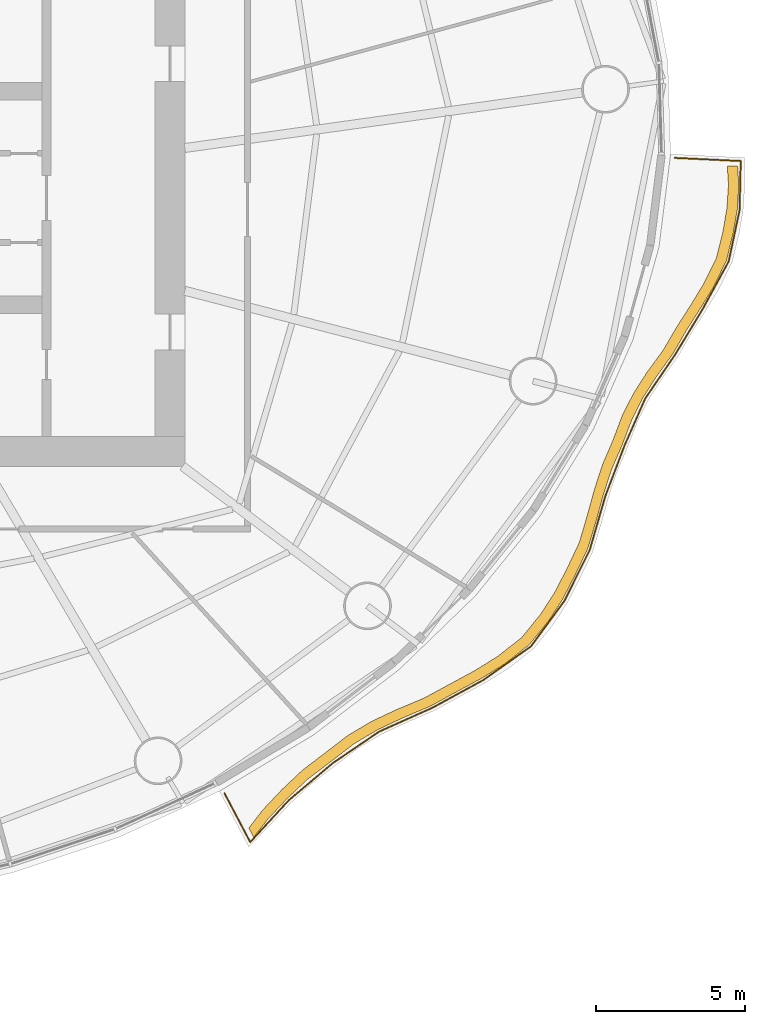
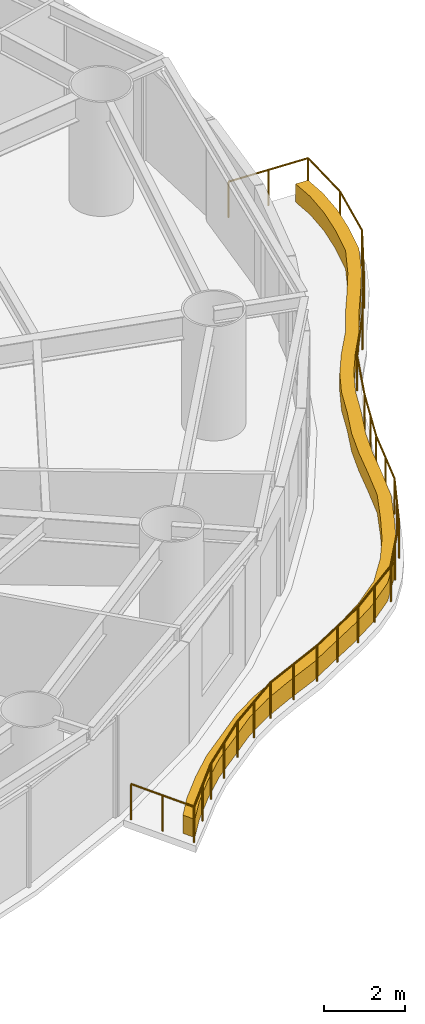
# One storey, part 14 of 16: 1 covering, 1 railing.
"""IFC4 building model written with IfcOpenShell, lengths in metres."""

from ifc_helpers import new_model, si_unit, direction, frame, origin, origin_2d, place, context, subcontext, project, spatial, polyline, circle, outline, extrude, material, type_object, element, save


model = new_model("IFC4")

# Units and contexts
model_context = context("Model", 3, precision=1e-05, world=origin(), true_north=direction((0.0, 1.0)))
body_context = subcontext(model_context, "Body", "Model", "MODEL_VIEW")
ifc_project = project(units=[si_unit("LENGTHUNIT", "METRE"), si_unit("AREAUNIT", "SQUARE_METRE"), si_unit("VOLUMEUNIT", "CUBIC_METRE"), si_unit("PLANEANGLEUNIT", "RADIAN"), si_unit("MASSUNIT", "GRAM", prefix="KILO")], contexts=[model_context])

# Site, building, storey
site_placement = place(None, origin())
site = spatial("IfcSite", under=ifc_project, at=site_placement, CompositionType="ELEMENT")
building_placement = place(site_placement, origin())
building = spatial("IfcBuilding", under=site, at=building_placement, Name="Vermilion Reach Broadcast Tower", CompositionType="ELEMENT")
storey_placement = place(building_placement, frame((0.0, 0.0, 95.800048828125)))
storey = spatial("IfcBuildingStorey", under=building, at=storey_placement, Name="L21", CompositionType="ELEMENT", Elevation=95.800048828125)

# Covering
ifc_material_1 = material(Name="Planting soil and greenery")
covering_type = type_object("IfcCoveringType", Name="Balcony PLANTER", PredefinedType="USERDEFINED", material=ifc_material_1)
covering_placement = place(storey_placement, origin())
element("IfcCovering", 1, at=covering_placement, inside=storey, type_object=covering_type, Name="PLANTER L21 group 4", ObjectType="PLANTER", PredefinedType="USERDEFINED", context=body_context, shape_type="SweptSolid", body=[
    extrude(outline(polyline([(8.306884765625, -21.444580078125), (8.7861328125, -20.83203125), (9.442138671875, -20.135009765625), (10.12890625, -19.489501953125), (10.91455078125, -18.89208984375), (11.681640625, -18.3046875), (12.4658203125, -17.838134765625), (13.30419921875, -17.443115234375), (14.25439453125, -17.0380859375), (15.147705078125, -16.548095703125), (15.959228515625, -16.109619140625), (16.73095703125, -15.630126953125), (17.55029296875, -14.985595703125), (18.193115234375, -14.198486328125), (18.666748046875, -13.466064453125), (19.07470703125, -12.680419921875), (19.514404296875, -11.7607421875), (19.80419921875, -10.800537109375), (20.036865234375, -9.951171875), (20.30615234375, -9.124267578125), (20.674072265625, -8.27099609375), (20.99462890625, -7.43115234375), (21.367431640625, -6.6953125), (21.81689453125, -5.993408203125), (22.369384765625, -5.226806640625), (22.83642578125, -4.41845703125), (23.28857421875, -3.710693359375), (23.72412109375, -2.998291015625), (24.163330078125, -2.108642578125), (24.394287109375, -1.17138671875), (24.52783203125, -0.39501953125), (24.580078125, 0.391357421875), (24.5419921875, 1.06494140625), (24.1923828125, 1.08154296875), (24.23291015625, 0.434814453125), (24.180419921875, -0.3515625), (24.047119140625, -1.1279296875), (23.8203125, -2.039306640625), (23.386962890625, -2.90380859375), (22.951416015625, -3.615966796875), (22.499267578125, -4.32373046875), (22.039794921875, -5.1083984375), (21.49658203125, -5.85205078125), (21.047119140625, -6.553955078125), (20.674560546875, -7.28955078125), (20.3642578125, -8.1083984375), (20.008056640625, -8.94091796875), (19.73876953125, -9.767822265625), (19.505859375, -10.6171875), (19.228759765625, -11.558837890625), (18.802490234375, -12.46044921875), (18.39453125, -13.24609375), (17.9208984375, -13.978515625), (17.2919921875, -14.749267578125), (16.487548828125, -15.37841796875), (15.7158203125, -15.858154296875), (14.904296875, -16.296630859375), (14.026123046875, -16.77294921875), (13.091796875, -17.164794921875), (12.25341796875, -17.56005859375), (11.46923828125, -18.026611328125), (10.71826171875, -18.6025390625), (9.94921875, -19.189208984375), (9.262451171875, -19.834716796875), (8.6064453125, -20.53173828125), (8.143798828125, -21.134765625), (8.306884765625, -21.444580078125)])), origin(), (0.0, 0.0, 1.0), 0.550048828125),
])

# Railing
ifc_material_2 = material(Name="Stainless steel 316 balustrade", Category="steel")
railing_type = type_object("IfcRailingType", Name="Balcony guard 1100", PredefinedType="BALUSTRADE", material=ifc_material_2)
railing_placement = place(storey_placement, frame((7.328857421875, -19.972412109375, 0.0)))
element("IfcRailing", 2, at=railing_placement, inside=storey, type_object=railing_type, Name="Balcony guard L21 group 4", PredefinedType="BALUSTRADE", context=body_context, shape_type="SweptSolid", body=[
    extrude(circle(Radius=0.02490234375, at=origin_2d()), frame((0.0, 0.0, 1.0751953125), z_axis=(0.465768209799, -0.884906760478, 0.0), x_axis=(0.884906760478, 0.465768209799, 0.0)), (0.0, 0.0, 1.0), 1.84814453125),
    extrude(circle(Radius=0.02490234375, at=origin_2d()), frame((0.86083984375, -1.635498046875, 1.0751953125), z_axis=(0.677615931931, 0.735415969906, 0.0), x_axis=(-0.735415969906, 0.677615931931, 0.0)), (0.0, 0.0, 1.0), 1.9091796875),
    extrude(circle(Radius=0.02490234375, at=origin_2d()), frame((2.154541015625, -0.2314453125, 1.0751953125), z_axis=(0.764310953959, 0.644847862412, 0.0), x_axis=(-0.644847862412, 0.764310953959, 0.0)), (0.0, 0.0, 1.0), 1.93115234375),
    extrude(circle(Radius=0.02490234375, at=origin_2d()), frame((3.630615234375, 1.013916015625, 1.0751953125), z_axis=(0.827061755661, 0.562111067604, 0.0), x_axis=(-0.562111067604, 0.827061755661, 0.0)), (0.0, 0.0, 1.0), 1.8798828125),
    extrude(circle(Radius=0.02490234375, at=origin_2d()), frame((5.185302734375, 2.070556640625, 1.0751953125), z_axis=(0.912613288897, 0.408823904547, 0.0), x_axis=(-0.408823904547, 0.912613288897, 0.0)), (0.0, 0.0, 1.0), 1.964111328125),
    extrude(circle(Radius=0.02490234375, at=origin_2d()), frame((6.977783203125, 2.87353515625, 1.0751953125), z_axis=(0.877924341873, 0.47879938382, 0.0), x_axis=(-0.47879938382, 0.877924341873, 0.0)), (0.0, 0.0, 1.0), 1.94580078125),
    extrude(circle(Radius=0.02490234375, at=origin_2d()), frame((8.68603515625, 3.80517578125, 1.0751953125), z_axis=(0.81640270072, 0.57748301296, 0.0), x_axis=(-0.57748301296, 0.81640270072, 0.0)), (0.0, 0.0, 1.0), 1.952880859375),
    extrude(circle(Radius=0.02490234375, at=origin_2d()), frame((10.2802734375, 4.932861328125, 1.0751953125), z_axis=(0.592348540174, 0.80568182737, 0.0), x_axis=(-0.80568182737, 0.592348540174, 0.0)), (0.0, 0.0, 1.0), 1.890625),
    extrude(circle(Radius=0.02490234375, at=origin_2d()), frame((11.400146484375, 6.4560546875, 1.0751953125), z_axis=(0.445576296936, 0.895243968764, 0.0), x_axis=(-0.895243968764, 0.445576296936, 0.0)), (0.0, 0.0, 1.0), 1.909423828125),
    extrude(circle(Radius=0.02490234375, at=origin_2d()), frame((12.2509765625, 8.16552734375, 1.0751953125), z_axis=(0.278237015555, 0.960512448215, 0.0), x_axis=(-0.960512448215, 0.278237015555, 0.0)), (0.0, 0.0, 1.0), 1.88818359375),
    extrude(circle(Radius=0.02490234375, at=origin_2d()), frame((12.7763671875, 9.979248046875, 1.0751953125), z_axis=(0.354936004903, 0.934890599174, 0.0), x_axis=(-0.934890599174, 0.354936004903, 0.0)), (0.0, 0.0, 1.0), 1.80224609375),
    extrude(circle(Radius=0.02490234375, at=origin_2d()), frame((13.416015625, 11.6640625, 1.0751953125), z_axis=(0.40279073079, 0.915292099381, 0.0), x_axis=(-0.915292099381, 0.40279073079, 0.0)), (0.0, 0.0, 1.0), 1.726806640625),
    extrude(circle(Radius=0.02490234375, at=origin_2d()), frame((14.111572265625, 13.24462890625, 1.0751953125), z_axis=(0.563043693848, 0.826427128559, 0.0), x_axis=(-0.826427128559, 0.563043693848, 0.0)), (0.0, 0.0, 1.0), 1.783447265625),
    extrude(circle(Radius=0.02490234375, at=origin_2d()), frame((15.11572265625, 14.718505859375, 1.0751953125), z_axis=(0.517741874965, 0.855536878754, 0.0), x_axis=(-0.855536878754, 0.517741874965, 0.0)), (0.0, 0.0, 1.0), 1.778564453125),
    extrude(circle(Radius=0.02490234375, at=origin_2d()), frame((16.03662109375, 16.240234375, 1.0751953125), z_axis=(0.478562490375, 0.878053496551, 0.0), x_axis=(-0.878053496551, 0.478562490375, 0.0)), (0.0, 0.0, 1.0), 1.8310546875),
    extrude(circle(Radius=0.02490234375, at=origin_2d()), frame((16.912841796875, 17.847900390625, 1.0751953125), z_axis=(0.207906925268, 0.97814861367, 0.0), x_axis=(-0.97814861367, 0.207906925268, 0.0)), (0.0, 0.0, 1.0), 1.7578125),
    extrude(circle(Radius=0.02490234375, at=origin_2d()), frame((17.2783203125, 19.5673828125, 1.0751953125), z_axis=(0.022556230894, 0.999745575858, 0.0), x_axis=(-0.999745575858, 0.022556230894, 0.0)), (0.0, 0.0, 1.0), 1.645263671875),
    extrude(circle(Radius=0.02490234375, at=origin_2d()), frame((17.3154296875, 21.212158203125, 1.0751953125), z_axis=(-0.998880547981, 0.047303814497, 0.0), x_axis=(-0.047303814497, -0.998880547981, 0.0)), (0.0, 0.0, 1.0), 2.21923828125),
    extrude(circle(Radius=0.02490234375, at=origin_2d()), origin(), (0.0, 0.0, 1.0), 1.050048828125),
    extrude(circle(Radius=0.02490234375, at=origin_2d()), frame((0.430419921875, -0.81787109375, 0.0)), (0.0, 0.0, 1.0), 1.050048828125),
    extrude(circle(Radius=0.02490234375, at=origin_2d()), frame((0.86083984375, -1.635498046875, 0.0)), (0.0, 0.0, 1.0), 1.050048828125),
    extrude(circle(Radius=0.02490234375, at=origin_2d()), frame((1.5078125, -0.93359375, 0.0)), (0.0, 0.0, 1.0), 1.050048828125),
    extrude(circle(Radius=0.02490234375, at=origin_2d()), frame((2.154541015625, -0.2314453125, 0.0)), (0.0, 0.0, 1.0), 1.050048828125),
    extrude(circle(Radius=0.02490234375, at=origin_2d()), frame((2.892578125, 0.39111328125, 0.0)), (0.0, 0.0, 1.0), 1.050048828125),
    extrude(circle(Radius=0.02490234375, at=origin_2d()), frame((3.630615234375, 1.013916015625, 0.0)), (0.0, 0.0, 1.0), 1.050048828125),
    extrude(circle(Radius=0.02490234375, at=origin_2d()), frame((4.407958984375, 1.542236328125, 0.0)), (0.0, 0.0, 1.0), 1.050048828125),
    extrude(circle(Radius=0.02490234375, at=origin_2d()), frame((5.185302734375, 2.070556640625, 0.0)), (0.0, 0.0, 1.0), 1.050048828125),
    extrude(circle(Radius=0.02490234375, at=origin_2d()), frame((6.08154296875, 2.47216796875, 0.0)), (0.0, 0.0, 1.0), 1.050048828125),
    extrude(circle(Radius=0.02490234375, at=origin_2d()), frame((6.977783203125, 2.87353515625, 0.0)), (0.0, 0.0, 1.0), 1.050048828125),
    extrude(circle(Radius=0.02490234375, at=origin_2d()), frame((7.83203125, 3.33935546875, 0.0)), (0.0, 0.0, 1.0), 1.050048828125),
    extrude(circle(Radius=0.02490234375, at=origin_2d()), frame((8.68603515625, 3.80517578125, 0.0)), (0.0, 0.0, 1.0), 1.050048828125),
    extrude(circle(Radius=0.02490234375, at=origin_2d()), frame((9.483154296875, 4.369140625, 0.0)), (0.0, 0.0, 1.0), 1.050048828125),
    extrude(circle(Radius=0.02490234375, at=origin_2d()), frame((10.2802734375, 4.932861328125, 0.0)), (0.0, 0.0, 1.0), 1.050048828125),
    extrude(circle(Radius=0.02490234375, at=origin_2d()), frame((10.84033203125, 5.6943359375, 0.0)), (0.0, 0.0, 1.0), 1.050048828125),
    extrude(circle(Radius=0.02490234375, at=origin_2d()), frame((11.400146484375, 6.4560546875, 0.0)), (0.0, 0.0, 1.0), 1.050048828125),
    extrude(circle(Radius=0.02490234375, at=origin_2d()), frame((11.82568359375, 7.310791015625, 0.0)), (0.0, 0.0, 1.0), 1.050048828125),
    extrude(circle(Radius=0.02490234375, at=origin_2d()), frame((12.2509765625, 8.16552734375, 0.0)), (0.0, 0.0, 1.0), 1.050048828125),
    extrude(circle(Radius=0.02490234375, at=origin_2d()), frame((12.513671875, 9.072265625, 0.0)), (0.0, 0.0, 1.0), 1.050048828125),
    extrude(circle(Radius=0.02490234375, at=origin_2d()), frame((12.7763671875, 9.979248046875, 0.0)), (0.0, 0.0, 1.0), 1.050048828125),
    extrude(circle(Radius=0.02490234375, at=origin_2d()), frame((13.09619140625, 10.82177734375, 0.0)), (0.0, 0.0, 1.0), 1.050048828125),
    extrude(circle(Radius=0.02490234375, at=origin_2d()), frame((13.416015625, 11.6640625, 0.0)), (0.0, 0.0, 1.0), 1.050048828125),
    extrude(circle(Radius=0.02490234375, at=origin_2d()), frame((14.111572265625, 13.24462890625, 0.0)), (0.0, 0.0, 1.0), 1.050048828125),
    extrude(circle(Radius=0.02490234375, at=origin_2d()), frame((15.11572265625, 14.718505859375, 0.0)), (0.0, 0.0, 1.0), 1.050048828125),
    extrude(circle(Radius=0.02490234375, at=origin_2d()), frame((16.03662109375, 16.240234375, 0.0)), (0.0, 0.0, 1.0), 1.050048828125),
    extrude(circle(Radius=0.02490234375, at=origin_2d()), frame((16.474609375, 17.0439453125, 0.0)), (0.0, 0.0, 1.0), 1.050048828125),
    extrude(circle(Radius=0.02490234375, at=origin_2d()), frame((16.912841796875, 17.847900390625, 0.0)), (0.0, 0.0, 1.0), 1.050048828125),
    extrude(circle(Radius=0.02490234375, at=origin_2d()), frame((17.2783203125, 19.5673828125, 0.0)), (0.0, 0.0, 1.0), 1.050048828125),
    extrude(circle(Radius=0.02490234375, at=origin_2d()), frame((17.3154296875, 21.212158203125, 0.0)), (0.0, 0.0, 1.0), 1.050048828125),
    extrude(circle(Radius=0.02490234375, at=origin_2d()), frame((16.20703125, 21.2646484375, 0.0)), (0.0, 0.0, 1.0), 1.050048828125),
    extrude(circle(Radius=0.02490234375, at=origin_2d()), frame((15.0986328125, 21.317138671875, 0.0)), (0.0, 0.0, 1.0), 1.050048828125),
])

save(model, "model.ifc")
